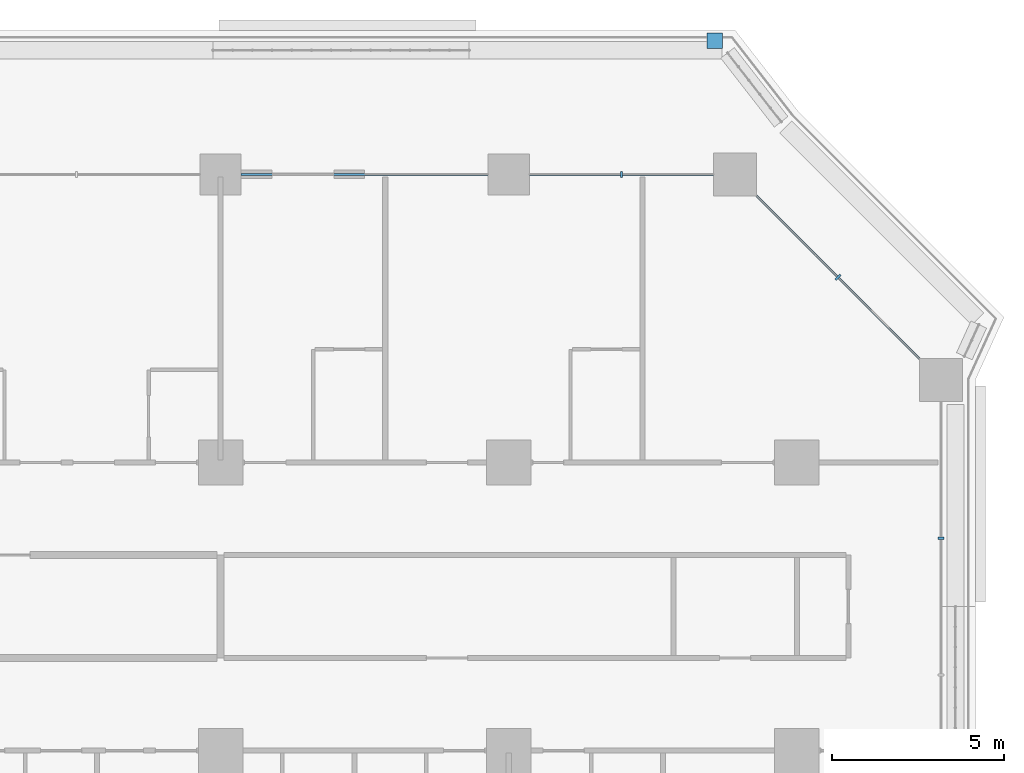
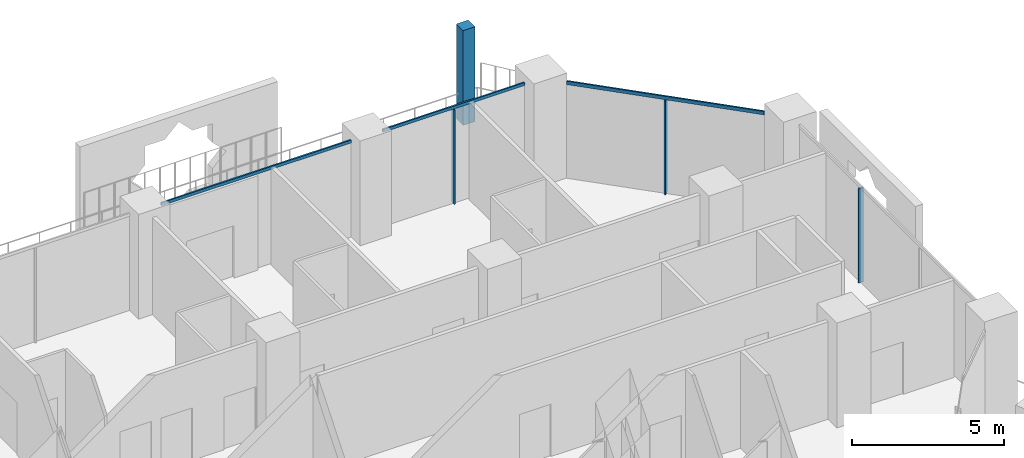
# One storey, part 10 of 28: 7 members, 4 elements without a shape of their own.
"""IFC4 building model written with IfcOpenShell, lengths in metres."""

from ifc_helpers import new_model, si_unit, direction, frame, origin, origin_2d, place, context, subcontext, project, spatial, rectangle, extrude, material, layer, layer_set, material_profile, profile_set, type_object, element, aggregate, save


model = new_model("IFC4")

# Units and contexts
model_context = context("Model", 3, precision=1e-05, world=origin(), true_north=direction((0.0, 1.0)))
body_context = subcontext(model_context, "Body", "Model", "MODEL_VIEW")
ifc_project = project(units=[si_unit("LENGTHUNIT", "METRE"), si_unit("AREAUNIT", "SQUARE_METRE"), si_unit("VOLUMEUNIT", "CUBIC_METRE"), si_unit("PLANEANGLEUNIT", "RADIAN"), si_unit("MASSUNIT", "GRAM", prefix="KILO")], contexts=[model_context])

# Site, building, storey
site_placement = place(None, origin())
site = spatial("IfcSite", under=ifc_project, at=site_placement, CompositionType="ELEMENT")
building_placement = place(site_placement, origin())
building = spatial("IfcBuilding", under=site, at=building_placement, Name="Kawkab Arch Medical Tower", CompositionType="ELEMENT")
storey_placement = place(building_placement, frame((0.0, 0.0, 72.800048828125)))
storey = spatial("IfcBuildingStorey", under=building, at=storey_placement, Name="L16", CompositionType="ELEMENT", Elevation=72.800048828125)

# Curtain wall, member
ifc_material_1 = material(Name="Bronze anodised aluminium curtain wall frame", Category="aluminium")
ifc_layer_1 = layer(ifc_material_1, 0.159912109375)
ifc_layer_set_1 = layer_set([ifc_layer_1], Name="Bronze anodised aluminium curtain wall frame")
curtain_wall_type_1 = type_object("IfcCurtainWallType", Name="CW1 ward curtain wall", PredefinedType="NOTDEFINED", material=ifc_layer_set_1)
placement = place(storey_placement, origin())
curtain_wall_1 = element("IfcCurtainWall", 1, at=placement, inside=storey, type_object=curtain_wall_type_1, Name="CW1 Ward curtain wall R09", PredefinedType="NOTDEFINED")
ifc_material_2 = material(Name="Bronze anodised aluminium curtain wall frame", Category="aluminium")
ifc_material_profile_1 = material_profile(ifc_material_2, rectangle(XDim=0.179931640625, YDim=0.06005859375, at=origin_2d()), Name="AL 60x180")
ifc_profile_set_1 = profile_set([ifc_material_profile_1], Name="Bronze anodised aluminium curtain wall frame")
member_type_1 = type_object("IfcMemberType", Name="CW1 mullion 60 x 180", PredefinedType="MULLION", material=ifc_profile_set_1)
member_1_placement = place(storey_placement, frame((79.800048828125, -10.6083984375, 0.0), z_axis=(0.0, 0.0, 1.0), x_axis=(-1.0, 0.0, 0.0)))
member_1 = element("IfcMember", 2, at=member_1_placement, type_object=member_type_1, Name="CW1 mullion 1.2", PredefinedType="MULLION", context=body_context, shape_type="SweptSolid", body=[
    extrude(rectangle(XDim=0.179931640625, YDim=0.06005859375, at=origin_2d()), origin(), (0.0, 0.0, 1.0), 3.780029296875),
])
aggregate(curtain_wall_1, [member_1])

# Curtain wall, members
curtain_wall_2 = element("IfcCurtainWall", 3, at=placement, inside=storey, type_object=curtain_wall_type_1, Name="CW1 Ward curtain wall R11", PredefinedType="NOTDEFINED")
member_2_placement = place(storey_placement, frame((70.487548828125, 0.0, 0.0), z_axis=(0.0, 0.0, 1.0), x_axis=(0.0, -1.0, 0.0)))
member_2 = element("IfcMember", 4, at=member_2_placement, type_object=member_type_1, Name="CW1 mullion 1.1", PredefinedType="MULLION", context=body_context, shape_type="SweptSolid", body=[
    extrude(rectangle(XDim=0.179931640625, YDim=0.06005859375, at=origin_2d()), origin(), (0.0, 0.0, 1.0), 3.780029296875),
])
ifc_material_3 = material(Name="Bronze anodised aluminium curtain wall frame", Category="aluminium")
ifc_material_profile_2 = material_profile(ifc_material_3, rectangle(XDim=0.06005859375, YDim=0.1201171875, at=origin_2d()), Name="AL 60x120")
ifc_profile_set_2 = profile_set([ifc_material_profile_2], Name="Bronze anodised aluminium curtain wall frame")
member_type_2 = type_object("IfcMemberType", Name="CW1 transom 120 x 60", PredefinedType="USERDEFINED", material=ifc_profile_set_2)
member_3_placement = place(storey_placement, frame((73.175048828125, 0.0, 3.83984375), z_axis=(-1.0, 0.0, 0.0), x_axis=(0.0, -1.0, 0.0)))
member_3 = element("IfcMember", 5, at=member_3_placement, type_object=member_type_2, Name="CW1 transom 1", ObjectType="TRANSOM", PredefinedType="USERDEFINED", context=body_context, shape_type="SweptSolid", body=[
    extrude(rectangle(XDim=0.06005859375, YDim=0.1201171875, at=origin_2d()), origin(), (0.0, 0.0, 1.0), 5.375),
])
member_4_placement = place(storey_placement, frame((66.60009765625, 0.0, 3.83984375), z_axis=(-1.0, 0.0, 0.0), x_axis=(0.0, -1.0, 0.0)))
member_4 = element("IfcMember", 6, at=member_4_placement, type_object=member_type_2, Name="CW1 transom 2", ObjectType="TRANSOM", PredefinedType="USERDEFINED", context=body_context, shape_type="SweptSolid", body=[
    extrude(rectangle(XDim=0.06005859375, YDim=0.1201171875, at=origin_2d()), origin(), (0.0, 0.0, 1.0), 7.2001953125),
])
aggregate(curtain_wall_2, [member_3, member_2, member_4])

ifc_material_4 = material(Name="Bronze anodised aluminium curtain wall frame", Category="aluminium")
ifc_layer_2 = layer(ifc_material_4, 0.159912109375)
ifc_layer_set_2 = layer_set([ifc_layer_2], Name="Bronze anodised aluminium curtain wall frame")
curtain_wall_type_2 = type_object("IfcCurtainWallType", Name="CW2 chamfer curtain wall", PredefinedType="NOTDEFINED", material=ifc_layer_set_2)
curtain_wall_3 = element("IfcCurtainWall", 7, at=placement, inside=storey, type_object=curtain_wall_type_2, Name="CW2 Chamfer curtain wall R10", PredefinedType="NOTDEFINED")
ifc_material_5 = material(Name="Bronze anodised aluminium curtain wall frame", Category="aluminium")
ifc_material_profile_3 = material_profile(ifc_material_5, rectangle(XDim=0.199951171875, YDim=0.06005859375, at=origin_2d()), Name="AL 60x200")
ifc_profile_set_3 = profile_set([ifc_material_profile_3], Name="Bronze anodised aluminium curtain wall frame")
member_type_3 = type_object("IfcMemberType", Name="CW2 mullion 60 x 200", PredefinedType="MULLION", material=ifc_profile_set_3)
member_5_placement = place(storey_placement, frame((76.800048828125, -3.0, 0.0), z_axis=(0.0, 0.0, 1.0), x_axis=(-0.707106781187, -0.707106781187, 0.0)))
member_5 = element("IfcMember", 8, at=member_5_placement, type_object=member_type_3, Name="CW2 mullion 1.1", PredefinedType="MULLION", context=body_context, shape_type="SweptSolid", body=[
    extrude(rectangle(XDim=0.199951171875, YDim=0.06005859375, at=origin_2d()), origin(), (0.0, 0.0, 1.0), 3.760009765625),
])
ifc_material_6 = material(Name="Bronze anodised aluminium curtain wall frame", Category="aluminium")
ifc_material_profile_4 = material_profile(ifc_material_6, rectangle(XDim=0.06005859375, YDim=0.139892578125, at=origin_2d()), Name="AL 60x140")
ifc_profile_set_4 = profile_set([ifc_material_profile_4], Name="Bronze anodised aluminium curtain wall frame")
member_type_4 = type_object("IfcMemberType", Name="CW2 transom 140 x 60", PredefinedType="USERDEFINED", material=ifc_profile_set_4)
member_6_placement = place(storey_placement, frame((79.175048828125, -5.375, 3.829833984375), z_axis=(-0.707106781187, 0.707106781187, 0.0), x_axis=(-0.707106781187, -0.707106781187, 0.0)))
member_6 = element("IfcMember", 9, at=member_6_placement, type_object=member_type_4, Name="CW2 transom 1", ObjectType="TRANSOM", PredefinedType="USERDEFINED", context=body_context, shape_type="SweptSolid", body=[
    extrude(rectangle(XDim=0.06005859375, YDim=0.139892578125, at=origin_2d()), origin(), (0.0, 0.0, 1.0), 6.717529296875),
])
aggregate(curtain_wall_3, [member_6, member_5])

# Curtain wall, member
ifc_material_7 = material(Name="Bronze anodised aluminium climber frame, planted", Category="aluminium")
ifc_layer_3 = layer(ifc_material_7, 0.449951171875)
ifc_layer_set_3 = layer_set([ifc_layer_3], Name="Bronze anodised aluminium climber frame, planted")
curtain_wall_type_3 = type_object("IfcCurtainWallType", Name="Planted climber frame", PredefinedType="NOTDEFINED", material=ifc_layer_set_3)
curtain_wall_4 = element("IfcCurtainWall", 10, at=placement, inside=storey, type_object=curtain_wall_type_3, Name="Planted climber frame L16", PredefinedType="NOTDEFINED")
ifc_material_8 = material(Name="Bronze anodised aluminium climber frame, planted", Category="aluminium")
ifc_material_profile_5 = material_profile(ifc_material_8, rectangle(XDim=0.449951171875, YDim=0.449951171875, at=origin_2d()), Name="Post 450x450")
ifc_profile_set_5 = profile_set([ifc_material_profile_5], Name="Bronze anodised aluminium climber frame, planted")
member_type_5 = type_object("IfcMemberType", Name="Planted climber post 450 x 450", PredefinedType="MULLION", material=ifc_profile_set_5)
member_7_placement = place(storey_placement, frame((73.202880859375, 3.89990234375, 0.0), z_axis=(0.0, 0.0, 1.0), x_axis=(1.0, 0.0, 0.0)))
member_7 = element("IfcMember", 11, at=member_7_placement, type_object=member_type_5, Name="Planted climber post L16.LOG-01-01.4", PredefinedType="MULLION", context=body_context, shape_type="SweptSolid", body=[
    extrude(rectangle(XDim=0.449951171875, YDim=0.449951171875, at=origin_2d()), origin(), (0.0, 0.0, 1.0), 3.800048828125),
])
aggregate(curtain_wall_4, [member_7])

save(model, "model.ifc")
